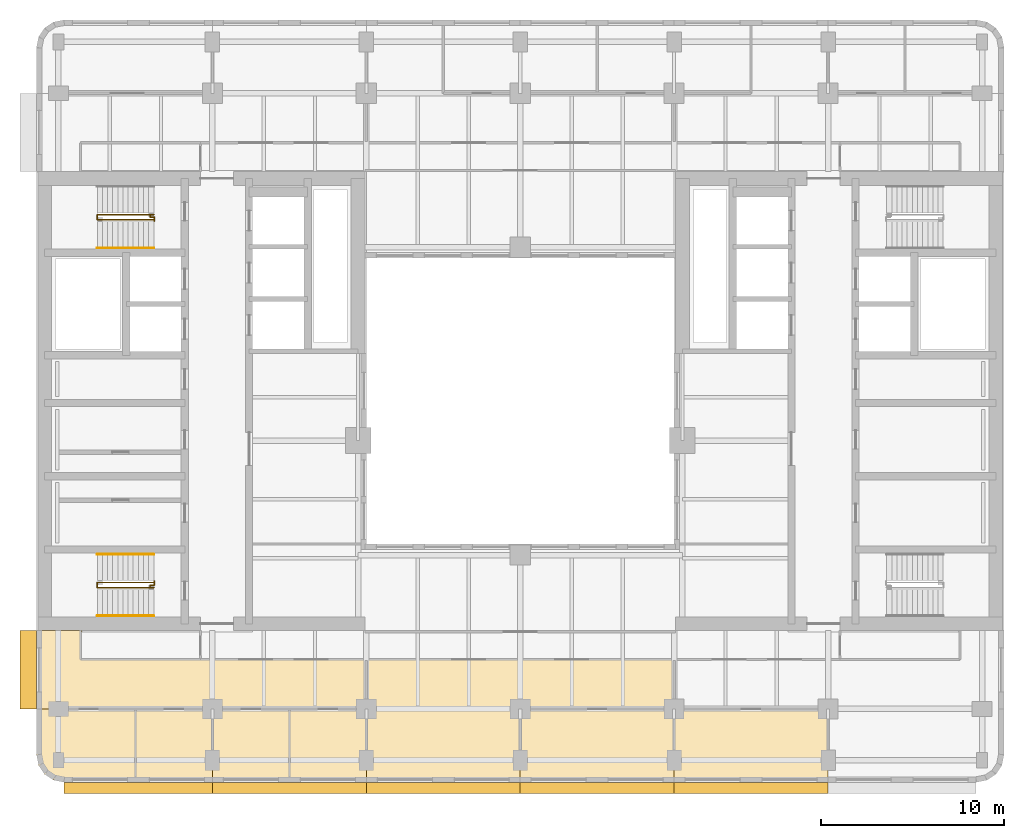
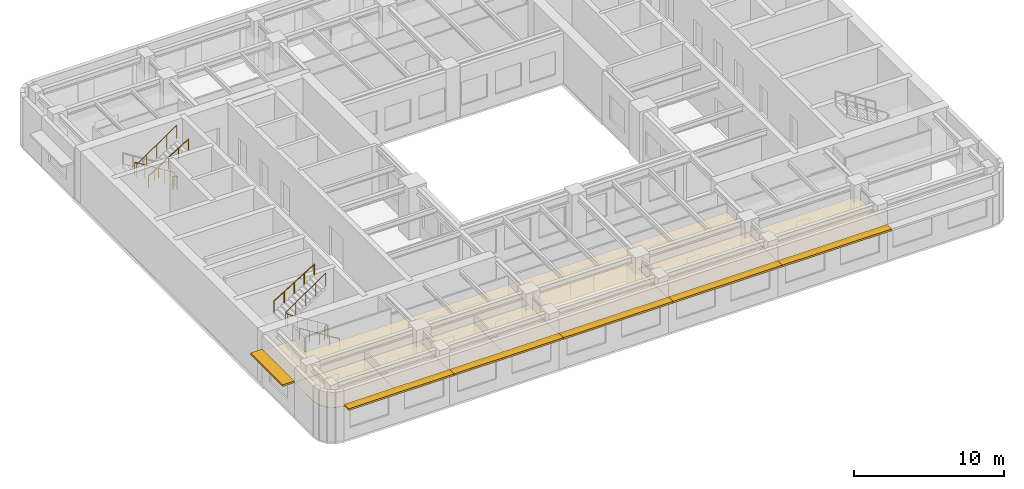
# One storey, part 9 of 11: 8 coverings, 7 railings, 6 shading devices.
"""IFC4 building model written with IfcOpenShell, lengths in metres."""

from ifc_helpers import new_model, si_unit, direction, frame, origin, origin_2d, place, context, subcontext, project, spatial, polyline, rectangle, circle, outline, extrude, material, layer, layer_set, type_object, element, save


model = new_model("IFC4")

# Units and contexts
model_context = context("Model", 3, precision=1e-05, world=origin(), true_north=direction((0.0, 1.0)))
body_context = subcontext(model_context, "Body", "Model", "MODEL_VIEW")
ifc_project = project(units=[si_unit("LENGTHUNIT", "METRE"), si_unit("AREAUNIT", "SQUARE_METRE"), si_unit("VOLUMEUNIT", "CUBIC_METRE"), si_unit("PLANEANGLEUNIT", "RADIAN"), si_unit("MASSUNIT", "GRAM", prefix="KILO")], contexts=[model_context])

# Site, building, storey
site_placement = place(None, origin())
site = spatial("IfcSite", under=ifc_project, at=site_placement, CompositionType="ELEMENT")
building_placement = place(site_placement, origin())
building = spatial("IfcBuilding", under=site, at=building_placement, Name="Claustro Exchange Tower", CompositionType="ELEMENT")
storey_placement = place(building_placement, frame((0.0, 0.0, 207.0)))
storey = spatial("IfcBuildingStorey", under=building, at=storey_placement, Name="L47", CompositionType="ELEMENT", Elevation=207.0)

# Coverings
ifc_material_1 = material(Name="Perforated metal ceiling tiles", Category="steel")
ifc_layer_1 = layer(ifc_material_1, 0.030029296875)
ifc_layer_set_1 = layer_set([ifc_layer_1], Name="Perforated metal ceiling tiles")
covering_type_1 = type_object("IfcCoveringType", Name="CL1 suspended metal ceiling", PredefinedType="CEILING", material=ifc_layer_set_1)
covering_1_placement = place(storey_placement, frame((0.0, 0.0, 2.800048828125)))
element("IfcCovering", 1, at=covering_1_placement, inside=storey, type_object=covering_type_1, Name="Ceiling CL1 L47-09", PredefinedType="CEILING", context=body_context, shape_type="SweptSolid", body=[
    extrude(outline(polyline([(1.199951171875, 11.10009765625), (1.199951171875, 12.60009765625), (1.294921875, 12.60009765625), (1.294921875, 12.675048828125), (-1.125, 12.675048828125), (-1.125, 12.695068359375), (-1.199951171875, 12.695068359375), (-1.199951171875, 8.39990234375), (16.800048828125, 8.39990234375), (16.800048828125, 11.10009765625), (1.199951171875, 11.10009765625)])), origin(), (0.0, 0.0, 1.0), 0.030029296875),
])
ifc_material_2 = material(Name="Gypsum board ceiling", Category="gypsum board")
ifc_layer_2 = layer(ifc_material_2, 0.02490234375)
ifc_layer_set_2 = layer_set([ifc_layer_2], Name="Gypsum board ceiling")
covering_type_2 = type_object("IfcCoveringType", Name="CL2 plasterboard ceiling", PredefinedType="CEILING", material=ifc_layer_set_2)
covering_2_placement = place(storey_placement, frame((0.0, 0.0, 2.800048828125)))
element("IfcCovering", 2, at=covering_2_placement, inside=storey, type_object=covering_type_2, Name="Ceiling CL2 L47-01", PredefinedType="CEILING", context=body_context, shape_type="SweptSolid", body=[
    extrude(outline(polyline([(-1.085693359375, 5.325927734375), (-0.7607421875, 4.83935546875), (-0.27392578125, 4.51416015625), (0.300048828125, 4.39990234375), (4.199951171875, 4.39990234375), (4.199951171875, 8.39990234375), (-1.199951171875, 8.39990234375), (-1.199951171875, 5.89990234375), (-1.085693359375, 5.325927734375)])), origin(), (0.0, 0.0, 1.0), 0.02490234375),
])
covering_3_placement = place(storey_placement, frame((0.0, 0.0, 2.800048828125)))
element("IfcCovering", 3, at=covering_3_placement, inside=storey, type_object=covering_type_2, Name="Ceiling CL2 L47-02", PredefinedType="CEILING", context=body_context, shape_type="SweptSolid", body=[
    extrude(outline(polyline([(4.199951171875, 4.39990234375), (8.39990234375, 4.39990234375), (8.39990234375, 8.39990234375), (4.199951171875, 8.39990234375), (4.199951171875, 4.39990234375)])), origin(), (0.0, 0.0, 1.0), 0.02490234375),
])
covering_4_placement = place(storey_placement, frame((0.0, 0.0, 2.800048828125)))
element("IfcCovering", 4, at=covering_4_placement, inside=storey, type_object=covering_type_2, Name="Ceiling CL2 L47-03", PredefinedType="CEILING", context=body_context, shape_type="SweptSolid", body=[
    extrude(outline(polyline([(8.39990234375, 4.39990234375), (12.60009765625, 4.39990234375), (12.60009765625, 8.39990234375), (8.39990234375, 8.39990234375), (8.39990234375, 4.39990234375)])), origin(), (0.0, 0.0, 1.0), 0.02490234375),
])
covering_5_placement = place(storey_placement, frame((0.0, 0.0, 2.800048828125)))
element("IfcCovering", 5, at=covering_5_placement, inside=storey, type_object=covering_type_2, Name="Ceiling CL2 L47-04", PredefinedType="CEILING", context=body_context, shape_type="SweptSolid", body=[
    extrude(outline(polyline([(12.60009765625, 4.39990234375), (16.800048828125, 4.39990234375), (16.800048828125, 8.39990234375), (12.60009765625, 8.39990234375), (12.60009765625, 4.39990234375)])), origin(), (0.0, 0.0, 1.0), 0.02490234375),
])
covering_6_placement = place(storey_placement, frame((0.0, 0.0, 2.800048828125)))
element("IfcCovering", 6, at=covering_6_placement, inside=storey, type_object=covering_type_2, Name="Ceiling CL2 L47-05", PredefinedType="CEILING", context=body_context, shape_type="SweptSolid", body=[
    extrude(outline(polyline([(25.199951171875, 4.39990234375), (33.60009765625, 4.39990234375), (33.60009765625, 8.39990234375), (25.199951171875, 8.39990234375), (25.199951171875, 4.39990234375)])), origin(), (0.0, 0.0, 1.0), 0.02490234375),
])
covering_7_placement = place(storey_placement, frame((0.0, 0.0, 2.800048828125)))
element("IfcCovering", 7, at=covering_7_placement, inside=storey, type_object=covering_type_2, Name="Ceiling CL2 L47-06", PredefinedType="CEILING", context=body_context, shape_type="SweptSolid", body=[
    extrude(outline(polyline([(33.60009765625, 4.39990234375), (42.0, 4.39990234375), (42.0, 8.39990234375), (33.60009765625, 8.39990234375), (33.60009765625, 4.39990234375)])), origin(), (0.0, 0.0, 1.0), 0.02490234375),
])
covering_8_placement = place(storey_placement, frame((0.0, 0.0, 2.800048828125)))
element("IfcCovering", 8, at=covering_8_placement, inside=storey, type_object=covering_type_2, Name="Ceiling CL2 L47-07", PredefinedType="CEILING", context=body_context, shape_type="SweptSolid", body=[
    extrude(outline(polyline([(16.800048828125, 4.39990234375), (25.199951171875, 4.39990234375), (25.199951171875, 8.39990234375), (33.60009765625, 8.39990234375), (33.60009765625, 11.10009765625), (16.800048828125, 11.10009765625), (16.800048828125, 8.39990234375), (16.800048828125, 4.39990234375)])), origin(), (0.0, 0.0, 1.0), 0.02490234375),
])

# Railings
ifc_material_3 = material(Name="Steel balustrade, painted", Category="steel")
railing_type_1 = type_object("IfcRailingType", Name="GR2 1100 steel stair guard", PredefinedType="GUARDRAIL", material=ifc_material_3)
railing_1_placement = place(storey_placement, frame((5.199951171875, 15.02490234375, 0.175048828125)))
element("IfcRailing", 9, at=railing_1_placement, inside=storey, type_object=railing_type_1, Name="Stair well guard GR2 stair STWA L47", PredefinedType="GUARDRAIL", context=body_context, shape_type="SweptSolid", body=[
    extrude(circle(Radius=0.02392578125, at=origin_2d()), frame((0.0, 0.0, 1.076171875), z_axis=(-0.847979421464, 0.0, 0.530029150871), x_axis=(0.0, -1.0, 0.0)), (0.0, 0.0, 1.0), 3.632080078125),
    extrude(circle(Radius=0.02392578125, at=origin_2d()), frame((-3.079833984375, 0.0, 3.0009765625), z_axis=(0.0, 1.0, 0.0), x_axis=(-1.0, 0.0, 0.0)), (0.0, 0.0, 1.0), 0.275146484375),
    extrude(circle(Radius=0.02392578125, at=origin_2d()), frame((-3.079833984375, 0.275146484375, 3.0009765625), z_axis=(0.826231499792, 0.0, 0.563330727682), x_axis=(0.0, 1.0, 0.0)), (0.0, 0.0, 1.0), 3.7275390625),
    extrude(circle(Radius=0.02099609375, at=origin_2d()), origin(), (0.0, 0.0, 1.0), 1.052001953125),
    extrude(circle(Radius=0.02099609375, at=origin_2d()), frame((-0.77001953125, 0.0, 0.481201171875)), (0.0, 0.0, 1.0), 1.052001953125),
    extrude(circle(Radius=0.02099609375, at=origin_2d()), frame((-1.5400390625, 0.0, 0.96240234375)), (0.0, 0.0, 1.0), 1.052001953125),
    extrude(circle(Radius=0.02099609375, at=origin_2d()), frame((-2.309814453125, 0.0, 1.44384765625)), (0.0, 0.0, 1.0), 1.052001953125),
    extrude(circle(Radius=0.02099609375, at=origin_2d()), frame((-3.079833984375, 0.0, 1.925048828125)), (0.0, 0.0, 1.0), 1.052001953125),
    extrude(circle(Radius=0.02099609375, at=origin_2d()), frame((-3.079833984375, 0.275146484375, 1.925048828125)), (0.0, 0.0, 1.0), 1.052001953125),
    extrude(circle(Radius=0.02099609375, at=origin_2d()), frame((-2.309814453125, 0.275146484375, 2.449951171875)), (0.0, 0.0, 1.0), 1.052001953125),
    extrude(circle(Radius=0.02099609375, at=origin_2d()), frame((-1.5400390625, 0.275146484375, 2.97509765625)), (0.0, 0.0, 1.0), 1.052001953125),
    extrude(circle(Radius=0.02099609375, at=origin_2d()), frame((-0.77001953125, 0.275146484375, 3.5)), (0.0, 0.0, 1.0), 1.052001953125),
    extrude(circle(Radius=0.02099609375, at=origin_2d()), frame((0.0, 0.275146484375, 4.02490234375)), (0.0, 0.0, 1.0), 1.052001953125),
])
railing_2_placement = place(storey_placement, frame((5.0, 15.094970703125, 0.0)))
element("IfcRailing", 10, at=railing_2_placement, inside=storey, type_object=railing_type_1, Name="Stair guard GR2 STWA L47", PredefinedType="GUARDRAIL", context=body_context, shape_type="SweptSolid", body=[
    extrude(circle(Radius=0.02392578125, at=origin_2d()), frame((0.0, 0.0, 1.076171875), z_axis=(0.0, 1.0, 0.0), x_axis=(-1.0, 0.0, 0.0)), (0.0, 0.0, 1.0), 0.067626953125),
    extrude(circle(Radius=0.02392578125, at=origin_2d()), frame((0.0, 0.067626953125, 1.076171875), z_axis=(1.0, 0.0, 0.0), x_axis=(0.0, 1.0, 0.0)), (0.0, 0.0, 1.0), 0.22509765625),
    extrude(circle(Radius=0.02392578125, at=origin_2d()), frame((0.22509765625, 0.067626953125, 1.076171875), z_axis=(0.0, 1.0, 0.0), x_axis=(-1.0, 0.0, 0.0)), (0.0, 0.0, 1.0), 0.21728515625),
    extrude(circle(Radius=0.02099609375, at=origin_2d()), origin(), (0.0, 0.0, 1.0), 1.052001953125),
    extrude(circle(Radius=0.02099609375, at=origin_2d()), frame((0.0, 0.067626953125, 0.0)), (0.0, 0.0, 1.0), 1.052001953125),
    extrude(circle(Radius=0.02099609375, at=origin_2d()), frame((0.22509765625, 0.067626953125, 0.0)), (0.0, 0.0, 1.0), 1.052001953125),
    extrude(circle(Radius=0.02099609375, at=origin_2d()), frame((0.22509765625, 0.284912109375, 0.0)), (0.0, 0.0, 1.0), 1.052001953125),
])
railing_3_placement = place(storey_placement, frame((5.199951171875, 35.375, 0.175048828125)))
element("IfcRailing", 11, at=railing_3_placement, inside=storey, type_object=railing_type_1, Name="Stair well guard GR2 stair STWB L47", PredefinedType="GUARDRAIL", context=body_context, shape_type="SweptSolid", body=[
    extrude(circle(Radius=0.02392578125, at=origin_2d()), frame((0.0, 0.0, 1.076171875), z_axis=(-0.847979421464, 0.0, 0.530029150871), x_axis=(0.0, -1.0, 0.0)), (0.0, 0.0, 1.0), 3.632080078125),
    extrude(circle(Radius=0.02392578125, at=origin_2d()), frame((-3.079833984375, 0.0, 3.0009765625), z_axis=(0.0, -1.0, 0.0), x_axis=(1.0, 0.0, 0.0)), (0.0, 0.0, 1.0), 0.27490234375),
    extrude(circle(Radius=0.02392578125, at=origin_2d()), frame((-3.079833984375, -0.27490234375, 3.0009765625), z_axis=(0.826231499792, 0.0, 0.563330727682), x_axis=(0.0, 1.0, 0.0)), (0.0, 0.0, 1.0), 3.7275390625),
    extrude(circle(Radius=0.02099609375, at=origin_2d()), origin(), (0.0, 0.0, 1.0), 1.052001953125),
    extrude(circle(Radius=0.02099609375, at=origin_2d()), frame((-0.77001953125, 0.0, 0.481201171875)), (0.0, 0.0, 1.0), 1.052001953125),
    extrude(circle(Radius=0.02099609375, at=origin_2d()), frame((-1.5400390625, 0.0, 0.96240234375)), (0.0, 0.0, 1.0), 1.052001953125),
    extrude(circle(Radius=0.02099609375, at=origin_2d()), frame((-2.309814453125, 0.0, 1.44384765625)), (0.0, 0.0, 1.0), 1.052001953125),
    extrude(circle(Radius=0.02099609375, at=origin_2d()), frame((-3.079833984375, 0.0, 1.925048828125)), (0.0, 0.0, 1.0), 1.052001953125),
    extrude(circle(Radius=0.02099609375, at=origin_2d()), frame((-3.079833984375, -0.27490234375, 1.925048828125)), (0.0, 0.0, 1.0), 1.052001953125),
    extrude(circle(Radius=0.02099609375, at=origin_2d()), frame((-2.309814453125, -0.27490234375, 2.449951171875)), (0.0, 0.0, 1.0), 1.052001953125),
    extrude(circle(Radius=0.02099609375, at=origin_2d()), frame((-1.5400390625, -0.27490234375, 2.97509765625)), (0.0, 0.0, 1.0), 1.052001953125),
    extrude(circle(Radius=0.02099609375, at=origin_2d()), frame((-0.77001953125, -0.27490234375, 3.5)), (0.0, 0.0, 1.0), 1.052001953125),
    extrude(circle(Radius=0.02099609375, at=origin_2d()), frame((0.0, -0.27490234375, 4.02490234375)), (0.0, 0.0, 1.0), 1.052001953125),
])
railing_4_placement = place(storey_placement, frame((5.0, 35.304931640625, 0.0)))
element("IfcRailing", 12, at=railing_4_placement, inside=storey, type_object=railing_type_1, Name="Stair guard GR2 STWB L47", PredefinedType="GUARDRAIL", context=body_context, shape_type="SweptSolid", body=[
    extrude(circle(Radius=0.02392578125, at=origin_2d()), frame((0.0, 0.0, 1.076171875), z_axis=(0.0, -1.0, 0.0), x_axis=(1.0, 0.0, 0.0)), (0.0, 0.0, 1.0), 0.0673828125),
    extrude(circle(Radius=0.02392578125, at=origin_2d()), frame((0.0, -0.0673828125, 1.076171875), z_axis=(1.0, 0.0, 0.0), x_axis=(0.0, 1.0, 0.0)), (0.0, 0.0, 1.0), 0.22509765625),
    extrude(circle(Radius=0.02392578125, at=origin_2d()), frame((0.22509765625, -0.0673828125, 1.076171875), z_axis=(0.0, -1.0, 0.0), x_axis=(1.0, 0.0, 0.0)), (0.0, 0.0, 1.0), 0.217529296875),
    extrude(circle(Radius=0.02099609375, at=origin_2d()), origin(), (0.0, 0.0, 1.0), 1.052001953125),
    extrude(circle(Radius=0.02099609375, at=origin_2d()), frame((0.0, -0.0673828125, 0.0)), (0.0, 0.0, 1.0), 1.052001953125),
    extrude(circle(Radius=0.02099609375, at=origin_2d()), frame((0.22509765625, -0.0673828125, 0.0)), (0.0, 0.0, 1.0), 1.052001953125),
    extrude(circle(Radius=0.02099609375, at=origin_2d()), frame((0.22509765625, -0.284912109375, 0.0)), (0.0, 0.0, 1.0), 1.052001953125),
])
ifc_material_4 = material(Name="Stainless steel tube", Category="steel")
railing_type_2 = type_object("IfcRailingType", Name="HR1 900 stair handrail", PredefinedType="HANDRAIL", material=ifc_material_4)
railing_5_placement = place(storey_placement, frame((5.199951171875, 13.485107421875, 0.175048828125)))
element("IfcRailing", 13, at=railing_5_placement, inside=storey, type_object=railing_type_2, Name="Handrail HR1 stair STWA L47", PredefinedType="HANDRAIL", context=body_context, shape_type="SweptSolid", body=[
    extrude(circle(Radius=0.02392578125, at=origin_2d()), frame((0.0, 0.0, 0.8759765625), z_axis=(-0.847979421464, 0.0, 0.530029150871), x_axis=(0.0, -1.0, 0.0)), (0.0, 0.0, 1.0), 3.632080078125),
    extrude(circle(Radius=0.02099609375, at=origin_2d()), origin(), (0.0, 0.0, 1.0), 0.851806640625),
    extrude(circle(Radius=0.02099609375, at=origin_2d()), frame((-0.77001953125, 0.0, 0.481201171875)), (0.0, 0.0, 1.0), 0.851806640625),
    extrude(circle(Radius=0.02099609375, at=origin_2d()), frame((-1.5400390625, 0.0, 0.96240234375)), (0.0, 0.0, 1.0), 0.851806640625),
    extrude(circle(Radius=0.02099609375, at=origin_2d()), frame((-2.309814453125, 0.0, 1.44384765625)), (0.0, 0.0, 1.0), 0.851806640625),
    extrude(circle(Radius=0.02099609375, at=origin_2d()), frame((-3.079833984375, 0.0, 1.925048828125)), (0.0, 0.0, 1.0), 0.851806640625),
])
for number, where, name in (
    (14, (2.1201171875, 16.840087890625, 2.27490234375), "Handrail HR1 stair STWA L47"),
    (15, (2.1201171875, 33.56005859375, 2.27490234375), "Handrail HR1 stair STWB L47"),
):
    element("IfcRailing", number, at=place(storey_placement, frame(where)), inside=storey, type_object=railing_type_2, Name=name, PredefinedType="HANDRAIL", context=body_context, shape_type="SweptSolid", body=[
        extrude(circle(Radius=0.02392578125, at=origin_2d()), frame((0.0, 0.0, 0.8759765625), z_axis=(0.847979421464, 0.0, 0.530029150871), x_axis=(0.0, 1.0, 0.0)), (0.0, 0.0, 1.0), 3.632080078125),
        extrude(circle(Radius=0.02099609375, at=origin_2d()), origin(), (0.0, 0.0, 1.0), 0.851806640625),
        extrude(circle(Radius=0.02099609375, at=origin_2d()), frame((0.77001953125, 0.0, 0.481201171875)), (0.0, 0.0, 1.0), 0.851806640625),
        extrude(circle(Radius=0.02099609375, at=origin_2d()), frame((1.5400390625, 0.0, 0.96240234375)), (0.0, 0.0, 1.0), 0.851806640625),
        extrude(circle(Radius=0.02099609375, at=origin_2d()), frame((2.309814453125, 0.0, 1.44384765625)), (0.0, 0.0, 1.0), 0.851806640625),
        extrude(circle(Radius=0.02099609375, at=origin_2d()), frame((3.079833984375, 0.0, 1.925048828125)), (0.0, 0.0, 1.0), 0.851806640625),
    ])

# Shading devices
ifc_material_5 = material(Name="Concrete HA-40 (C40/50), precast, white cement, acid-etched", Category="concrete")
ifc_layer_3 = layer(ifc_material_5, 0.14990234375)
ifc_layer_set_3 = layer_set([ifc_layer_3], Name="Concrete HA-40 (C40/50), precast, white cement, acid-etched")
shading_device_type_1 = type_object("IfcShadingDeviceType", Name="SS1 600 precast concrete SUNSHADE", PredefinedType="SHUTTER", material=ifc_layer_set_3)
for number, where, z_axis, x_axis, name in (
    (16, (37.800048828125, 4.10009765625, 2.800048828125), (0.0, 0.0, 1.0), (-1.0, 0.0, 0.0), "Precast SUNSHADE SS1 L47"),
    (17, (29.39990234375, 4.10009765625, 2.800048828125), (0.0, 0.0, 1.0), (-1.0, 0.0, 0.0), "Precast SUNSHADE SS1 L47"),
    (18, (21.0, 4.10009765625, 2.800048828125), (0.0, 0.0, 1.0), (-1.0, 0.0, 0.0), "Precast SUNSHADE SS1 L47"),
    (19, (12.60009765625, 4.10009765625, 2.800048828125), (0.0, 0.0, 1.0), (-1.0, 0.0, 0.0), "Precast SUNSHADE SS1 L47"),
):
    element("IfcShadingDevice", number, at=place(storey_placement, frame(where, z_axis=z_axis, x_axis=x_axis)), inside=storey, type_object=shading_device_type_1, Name=name, PredefinedType="SHUTTER", context=body_context, shape_type="SweptSolid", body=[
        extrude(rectangle(XDim=8.39990234375, YDim=0.60009765625, at=origin_2d()), origin(), (0.0, 0.0, 1.0), 0.14990234375),
    ])
shading_device_1_placement = place(storey_placement, frame((4.357421875, 4.10009765625, 2.800048828125), z_axis=(0.0, 0.0, 1.0), x_axis=(-1.0, 0.0, 0.0)))
element("IfcShadingDevice", 20, at=shading_device_1_placement, inside=storey, type_object=shading_device_type_1, Name="Precast SUNSHADE SS1 L47", PredefinedType="SHUTTER", context=body_context, shape_type="SweptSolid", body=[
    extrude(rectangle(XDim=8.085205078125, YDim=0.60009765625, at=origin_2d()), origin(), (0.0, 0.0, 1.0), 0.14990234375),
])
ifc_material_6 = material(Name="Concrete HA-40 (C40/50), precast, white cement, acid-etched", Category="concrete")
ifc_layer_4 = layer(ifc_material_6, 0.14990234375)
ifc_layer_set_4 = layer_set([ifc_layer_4], Name="Concrete HA-40 (C40/50), precast, white cement, acid-etched")
shading_device_type_2 = type_object("IfcShadingDeviceType", Name="SS2 900 precast concrete SUNSHADE", PredefinedType="SHUTTER", material=ifc_layer_set_4)
shading_device_2_placement = place(storey_placement, frame((-1.64990234375, 10.53759765625, 2.800048828125), z_axis=(0.0, 0.0, 1.0), x_axis=(0.0, 1.0, 0.0)))
element("IfcShadingDevice", 21, at=shading_device_2_placement, inside=storey, type_object=shading_device_type_2, Name="Precast SUNSHADE SS2 L47", PredefinedType="SHUTTER", context=body_context, shape_type="SweptSolid", body=[
    extrude(rectangle(XDim=4.27490234375, YDim=0.89990234375, at=origin_2d()), origin(), (0.0, 0.0, 1.0), 0.14990234375),
])

save(model, "model.ifc")
